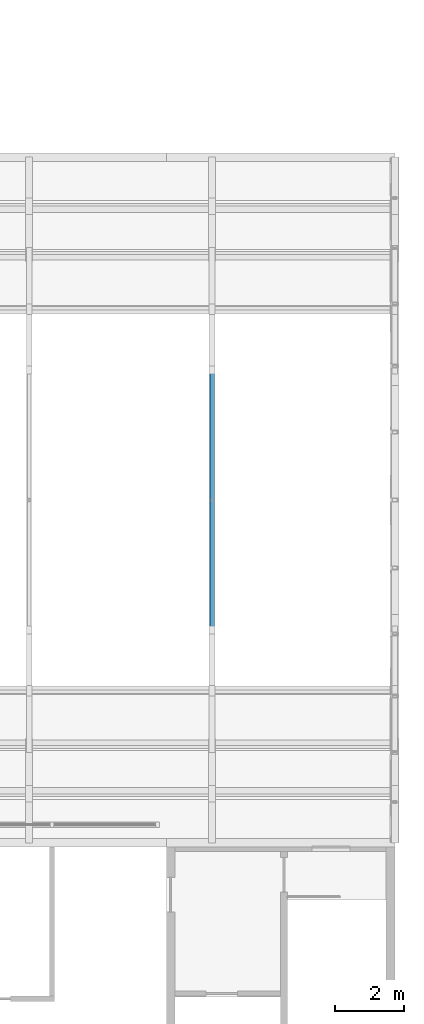
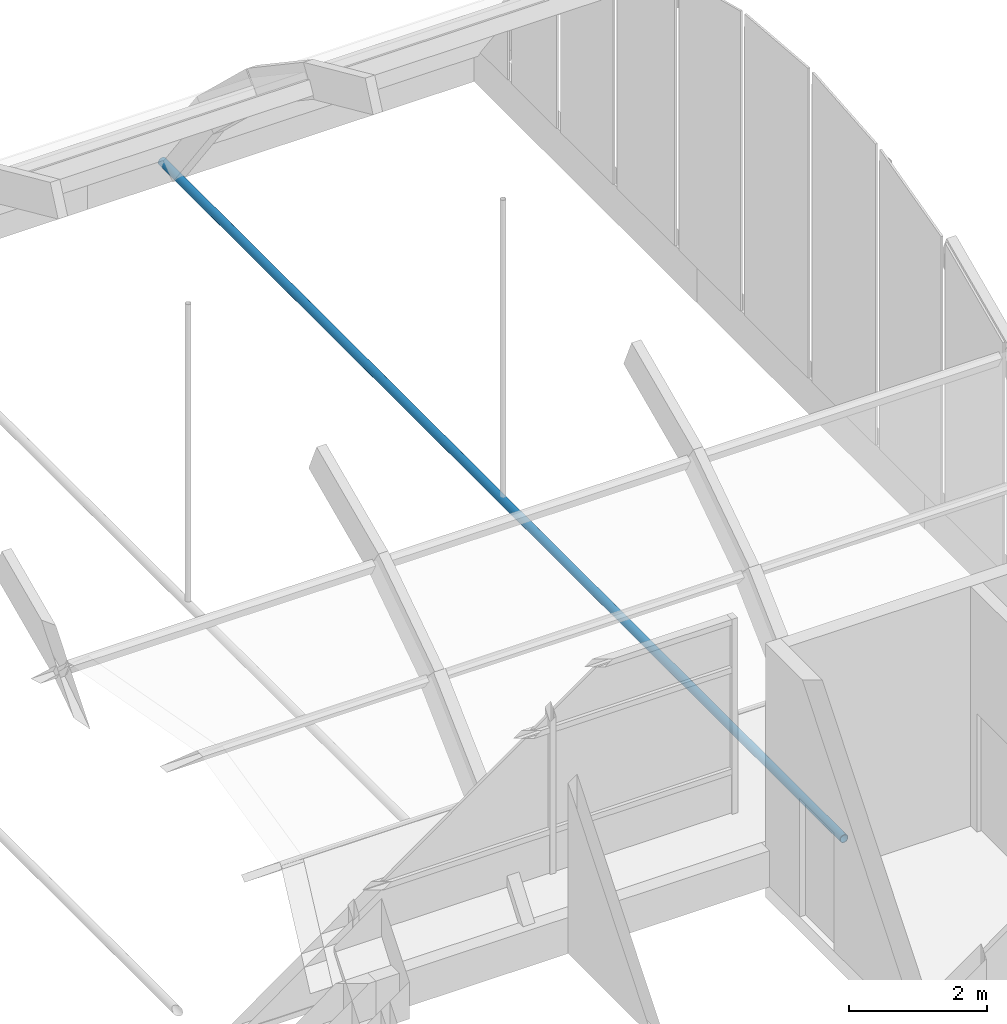
# One storey, part 27 of 102: 1 member.
"""IFC4 building model written with IfcOpenShell, lengths in metres."""

from ifc_helpers import new_model, si_unit, direction, frame, origin, origin_2d, place, context, subcontext, project, spatial, hollow_circle, extrude, material, material_profile, profile_set, type_object, element, save


model = new_model("IFC4")

# Units and contexts
model_context = context("Model", 3, precision=1e-05, world=origin(), true_north=direction((0.0, 1.0)))
body_context = subcontext(model_context, "Body", "Model", "MODEL_VIEW")
ifc_project = project(units=[si_unit("LENGTHUNIT", "METRE"), si_unit("AREAUNIT", "SQUARE_METRE"), si_unit("VOLUMEUNIT", "CUBIC_METRE"), si_unit("PLANEANGLEUNIT", "RADIAN"), si_unit("MASSUNIT", "GRAM", prefix="KILO")], contexts=[model_context])

# Site, building, storey
site_placement = place(None, origin())
site = spatial("IfcSite", under=ifc_project, at=site_placement, CompositionType="ELEMENT")
building_placement = place(site_placement, origin())
building = spatial("IfcBuilding", under=site, at=building_placement, Name="Lantern Court Research Institute", CompositionType="ELEMENT")
storey_placement = place(building_placement, frame((0.0, 0.0, 9.89990234375)))
storey = spatial("IfcBuildingStorey", under=building, at=storey_placement, Name="L02", CompositionType="ELEMENT", Elevation=9.89990234375)

# Member
ifc_material = material(Name="Structural steel S355", Category="steel")
ifc_material_profile = material_profile(ifc_material, hollow_circle(Radius=0.06982421875, WallThickness=0.008056640625, at=origin_2d()), Name="Gridshell tie CHS 139.7 x 8")
ifc_profile_set = profile_set([ifc_material_profile], Name="Structural steel S355")
member_type = type_object("IfcMemberType", Name="Gridshell tie CHS 139.7 x 8", PredefinedType="MEMBER", material=ifc_profile_set)
member_placement = place(storey_placement, frame((73.919921875, 56.10009765625, 0.320068359375), z_axis=(0.0, 1.0, 0.0), x_axis=(-1.0, 0.0, 0.0)))
element("IfcMember", 1, at=member_placement, inside=storey, type_object=member_type, Name="Theatre tie", PredefinedType="MEMBER", context=body_context, shape_type="SweptSolid", body=[
    extrude(hollow_circle(Radius=0.06982421875, WallThickness=0.008056640625, at=origin_2d()), origin(), (0.0, 0.0, 1.0), 19.7998046875),
])

save(model, "model.ifc")
